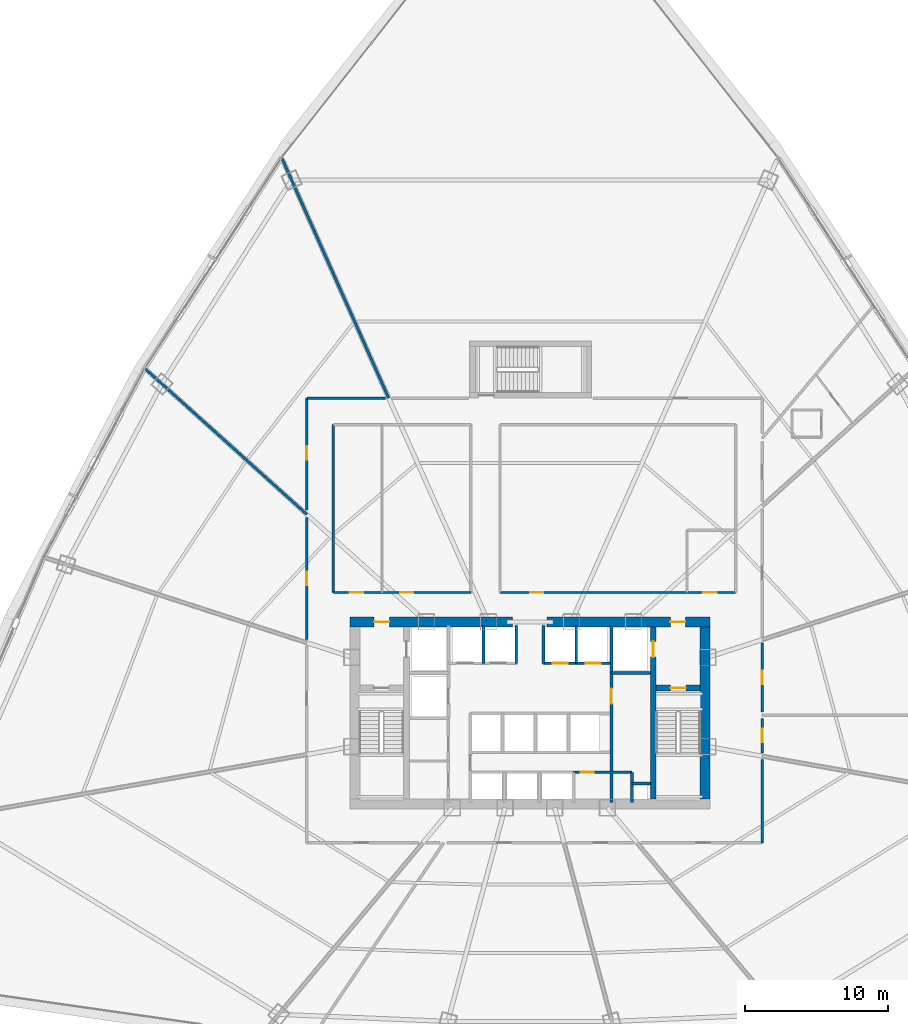
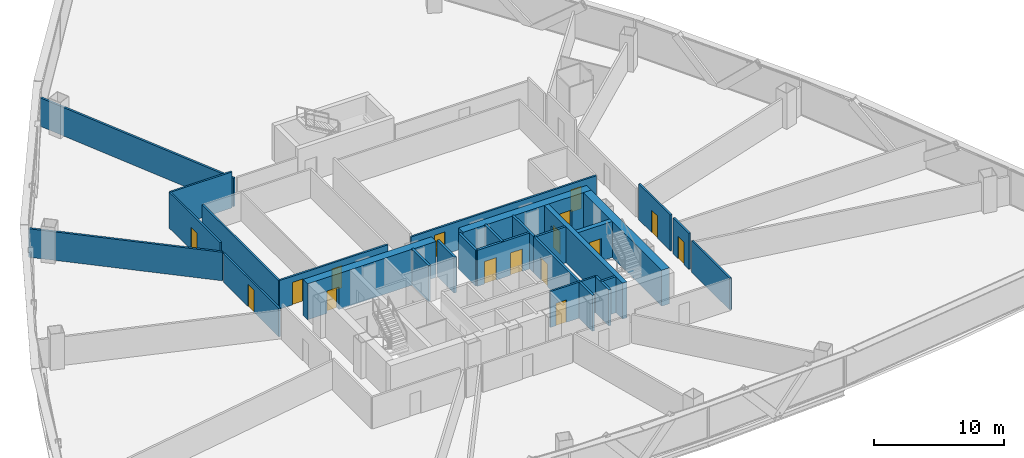
# One storey, part 36 of 42: 27 walls, 16 doors, 16 openings.
"""IFC4 building model written with IfcOpenShell, lengths in metres."""

from ifc_helpers import new_model, si_unit, direction, frame, frame_2d, origin, origin_with_axes, place, context, subcontext, project, spatial, rectangle, extrude, source, transform, mapped, material, layer, layer_set, type_object, element, fill, save


model = new_model("IFC4")

# Units and contexts
model_context = context("Model", 3, precision=1e-05, world=origin(), true_north=direction((0.0, 1.0)))
body_context = subcontext(model_context, "Body", "Model", "MODEL_VIEW")
ifc_project = project(units=[si_unit("LENGTHUNIT", "METRE"), si_unit("AREAUNIT", "SQUARE_METRE"), si_unit("VOLUMEUNIT", "CUBIC_METRE"), si_unit("PLANEANGLEUNIT", "RADIAN"), si_unit("MASSUNIT", "GRAM", prefix="KILO"), si_unit("THERMODYNAMICTEMPERATUREUNIT", "KELVIN"), si_unit("POWERUNIT", "WATT")], contexts=[model_context])

# Site, building, storey
site_placement = place(None, origin())
site = spatial("IfcSite", under=ifc_project, at=site_placement, CompositionType="ELEMENT")
building_placement = place(site_placement, origin())
building = spatial("IfcBuilding", under=site, at=building_placement, Name="Yunzhuo Pagoda Commons", CompositionType="ELEMENT")
storey_placement = place(building_placement, frame((0.0, 0.0, 41.2900390625)))
storey = spatial("IfcBuildingStorey", under=building, at=storey_placement, Name="L10", CompositionType="ELEMENT", Elevation=41.2900390625)

# Wall, opening, door
ifc_material_1 = material(Name="Concrete C60", Category="concrete")
ifc_layer_1 = layer(ifc_material_1, 0.699951171875)
ifc_layer_set_1 = layer_set([ifc_layer_1], Name="Concrete C60")
wall_type_1 = type_object("IfcWallType", Name="W-C01 Lower Core Shear Wall 700", PredefinedType="SHEAR", material=ifc_layer_set_1)
wall_1_placement = place(storey_placement, frame((35.449951171875, 40.199951171875, 0.0), z_axis=(0.0, 0.0, 1.0), x_axis=(1.0, 0.0, 0.0)))
wall_1 = element("IfcWall", 1, at=wall_1_placement, inside=storey, type_object=wall_type_1, Name="L10 core shear wall NW", PredefinedType="SHEAR", context=body_context, shape_type="SweptSolid", body=[
    extrude(rectangle(XDim=11.35009765625, YDim=0.699951171875, at=frame_2d((5.675048828125, 0.0))), origin(), (0.0, 0.0, 1.0), 3.369873046875),
])
opening_1_placement = place(wall_1_placement, frame((1.699951171875, 0.0, 0.0)))
opening_1 = element("IfcOpeningElement", 2, at=opening_1_placement, cuts=wall_1, Name="Opening D-02", PredefinedType="OPENING", context=body_context, shape_type="SweptSolid", body=[
    extrude(rectangle(XDim=1.050048828125, YDim=2.10009765625, at=frame_2d((0.52490234375, 1.050048828125))), frame((0.0, 0.35986328125, 0.0), z_axis=(0.0, -1.0, 0.0), x_axis=(1.0, 0.0, 0.0)), (0.0, 0.0, 1.0), 0.719970703125),
])
ifc_material_2 = material(Name="Galvanized fire-resisting metal leaf")
door_type_1 = type_object("IfcDoorType", Name="D-02 Firefighting Lobby & Refuge Fire Door 1050x2100", OperationType="NOTDEFINED", PredefinedType="DOOR", material=ifc_material_2)
shared_shape_1 = source(origin(), body_context, "Body", "SweptSolid", [
    extrude(rectangle(XDim=1.050048828125, YDim=2.10009765625, at=frame_2d((0.52490234375, 1.050048828125))), frame((0.0, 0.02490234375, 0.0), z_axis=(0.0, -1.0, 0.0), x_axis=(1.0, 0.0, 0.0)), (0.0, 0.0, 1.0), 0.050048828125),
])
door_1_placement = place(opening_1_placement, frame((1.050048828125, 0.0, 0.0), z_axis=(0.0, 0.0, 1.0), x_axis=(-1.0, 0.0, 0.0)))
door_1 = element("IfcDoor", 3, at=door_1_placement, inside=storey, type_object=door_type_1, Name="L10 Firefighting Lobby 1 fire door", OperationType="SINGLE_SWING_LEFT", OverallHeight=2.10009765625, OverallWidth=1.050048828125, PredefinedType="DOOR", context=body_context, shape_type="MappedRepresentation", body=[
    mapped(shared_shape_1, transform((0.0, 0.0, 0.0), scale=1.0)),
])
fill(opening_1, door_1)

wall_2_placement = place(storey_placement, frame((49.199951171875, 40.199951171875, 0.0), z_axis=(0.0, 0.0, 1.0), x_axis=(1.0, 0.0, 0.0)))
wall_2 = element("IfcWall", 4, at=wall_2_placement, inside=storey, type_object=wall_type_1, Name="L10 core shear wall NE", PredefinedType="SHEAR", context=body_context, shape_type="SweptSolid", body=[
    extrude(rectangle(XDim=11.35009765625, YDim=0.699951171875, at=frame_2d((5.675048828125, 0.0))), origin(), (0.0, 0.0, 1.0), 3.369873046875),
])
opening_2_placement = place(wall_2_placement, frame((8.60009765625, 0.0, 0.0)))
opening_2 = element("IfcOpeningElement", 5, at=opening_2_placement, cuts=wall_2, Name="Opening D-02", PredefinedType="OPENING", context=body_context, shape_type="SweptSolid", body=[
    extrude(rectangle(XDim=1.050048828125, YDim=2.10009765625, at=frame_2d((0.52490234375, 1.050048828125))), frame((0.0, 0.35986328125, 0.0), z_axis=(0.0, -1.0, 0.0), x_axis=(1.0, 0.0, 0.0)), (0.0, 0.0, 1.0), 0.719970703125),
])
door_2_placement = place(opening_2_placement, frame((1.050048828125, 0.0, 0.0), z_axis=(0.0, 0.0, 1.0), x_axis=(-1.0, 0.0, 0.0)))
door_2 = element("IfcDoor", 6, at=door_2_placement, inside=storey, type_object=door_type_1, Name="L10 Firefighting Lobby 2 fire door", OperationType="SINGLE_SWING_RIGHT", OverallHeight=2.10009765625, OverallWidth=1.050048828125, PredefinedType="DOOR", context=body_context, shape_type="MappedRepresentation", body=[
    mapped(shared_shape_1, transform((0.0, 0.0, 0.0), scale=1.0)),
])
fill(opening_2, door_2)

# Wall
wall_3_placement = place(storey_placement, frame((60.199951171875, 27.85009765625, 0.0), z_axis=(0.0, 0.0, 1.0), x_axis=(0.0, 1.0, 0.0)))
element("IfcWall", 7, at=wall_3_placement, inside=storey, type_object=wall_type_1, Name="L10 core shear wall E", PredefinedType="SHEAR", context=body_context, shape_type="SweptSolid", body=[
    extrude(rectangle(XDim=12.0, YDim=0.699951171875, at=frame_2d((6.0, 0.0))), origin(), (0.0, 0.0, 1.0), 3.369873046875),
])

# Wall, opening, door
ifc_material_3 = material(Name="Gypsum plasterboard on acoustic stud")
ifc_layer_2 = layer(ifc_material_3, 0.159912109375)
ifc_layer_set_2 = layer_set([ifc_layer_2], Name="Gypsum plasterboard on acoustic stud")
wall_type_2 = type_object("IfcWallType", Name="W-COR1 Tower Rated Corridor Wall 160", PredefinedType="PARTITIONING", material=ifc_layer_set_2)
wall_4_placement = place(storey_placement, frame((51.050048828125, 29.719970703125, 0.0), z_axis=(0.0, 0.0, 1.0), x_axis=(1.0, 0.0, 0.0)))
wall_4 = element("IfcWall", 8, at=wall_4_placement, inside=storey, type_object=wall_type_2, Name="L10 interior wall IW-L10-CSES", PredefinedType="PARTITIONING", context=body_context, shape_type="SweptSolid", body=[
    extrude(rectangle(XDim=4.070068359375, YDim=0.159912109375, at=frame_2d((2.03515625, 0.0))), origin(), (0.0, 0.0, 1.0), 3.369873046875),
])
opening_3_placement = place(wall_4_placement, frame((0.5, 0.0, 0.0)))
opening_3 = element("IfcOpeningElement", 9, at=opening_3_placement, cuts=wall_4, Name="Opening D-03", PredefinedType="OPENING", context=body_context, shape_type="SweptSolid", body=[
    extrude(rectangle(XDim=0.89990234375, YDim=2.10009765625, at=frame_2d((0.449951171875, 1.050048828125))), frame((0.0, 0.08984375, 0.0), z_axis=(0.0, -1.0, 0.0), x_axis=(1.0, 0.0, 0.0)), (0.0, 0.0, 1.0), 0.179931640625),
])
door_type_2 = type_object("IfcDoorType", Name="D-03 Core Service Fire Door 900x2100", OperationType="NOTDEFINED", PredefinedType="DOOR", material=ifc_material_2)
shared_shape_2 = source(origin(), body_context, "Body", "SweptSolid", [
    extrude(rectangle(XDim=0.89990234375, YDim=2.10009765625, at=frame_2d((0.449951171875, 1.050048828125))), frame((0.0, 0.02490234375, 0.0), z_axis=(0.0, -1.0, 0.0), x_axis=(1.0, 0.0, 0.0)), (0.0, 0.0, 1.0), 0.050048828125),
])
door_3_placement = place(opening_3_placement, origin_with_axes())
door_3 = element("IfcDoor", 10, at=door_3_placement, inside=storey, type_object=door_type_2, Name="L10 IT closet door", OperationType="SINGLE_SWING_LEFT", OverallHeight=2.10009765625, OverallWidth=0.89990234375, PredefinedType="DOOR", context=body_context, shape_type="MappedRepresentation", body=[
    mapped(shared_shape_2, transform((0.0, 0.0, 0.0), scale=1.0)),
])
fill(opening_3, door_3)

# Wall, openings, doors
wall_5_placement = place(storey_placement, frame((34.300048828125, 42.25, 0.0), z_axis=(0.0, 0.0, 1.0), x_axis=(1.0, 0.0, 0.0)))
wall_5 = element("IfcWall", 11, at=wall_5_placement, inside=storey, type_object=wall_type_2, Name="L10 interior wall IW-L10-ISLWS", PredefinedType="PARTITIONING", context=body_context, shape_type="SweptSolid", body=[
    extrude(rectangle(XDim=9.579833984375, YDim=0.159912109375, at=frame_2d((4.7900390625, 0.0))), origin(), (0.0, 0.0, 1.0), 2.669921875),
])
opening_4_placement = place(wall_5_placement, frame((1.14990234375, 0.0, 0.0)))
opening_4 = element("IfcOpeningElement", 12, at=opening_4_placement, cuts=wall_5, Name="Opening D-04", PredefinedType="OPENING", context=body_context, shape_type="SweptSolid", body=[
    extrude(rectangle(XDim=0.919921875, YDim=2.10009765625, at=frame_2d((0.4599609375, 1.050048828125))), frame((0.0, 0.08984375, 0.0), z_axis=(0.0, -1.0, 0.0), x_axis=(1.0, 0.0, 0.0)), (0.0, 0.0, 1.0), 0.179931640625),
])
opening_5_placement = place(wall_5_placement, frame((4.64990234375, 0.0, 0.0)))
opening_5 = element("IfcOpeningElement", 13, at=opening_5_placement, cuts=wall_5, Name="Opening D-04", PredefinedType="OPENING", context=body_context, shape_type="SweptSolid", body=[
    extrude(rectangle(XDim=0.919921875, YDim=2.10009765625, at=frame_2d((0.4599609375, 1.050048828125))), frame((0.0, 0.08984375, 0.0), z_axis=(0.0, -1.0, 0.0), x_axis=(1.0, 0.0, 0.0)), (0.0, 0.0, 1.0), 0.179931640625),
])
ifc_material_4 = material(Name="Powder-coated aluminium and timber acoustic leaf", Category="wood")
door_type_3 = type_object("IfcDoorType", Name="D-04 Bedroom & Study Interior Door 920x2100", OperationType="NOTDEFINED", PredefinedType="DOOR", material=ifc_material_4)
shared_shape_3 = source(origin(), body_context, "Body", "SweptSolid", [
    extrude(rectangle(XDim=0.919921875, YDim=2.10009765625, at=frame_2d((0.4599609375, 1.050048828125))), frame((0.0, 0.02490234375, 0.0), z_axis=(0.0, -1.0, 0.0), x_axis=(1.0, 0.0, 0.0)), (0.0, 0.0, 1.0), 0.050048828125),
])
door_4_placement = place(opening_4_placement, frame((0.919921875, 0.0, 0.0), z_axis=(0.0, 0.0, 1.0), x_axis=(-1.0, 0.0, 0.0)))
door_4 = element("IfcDoor", 14, at=door_4_placement, inside=storey, type_object=door_type_3, Name="L10 laundry door", OperationType="SINGLE_SWING_LEFT", OverallHeight=2.10009765625, OverallWidth=0.919921875, PredefinedType="DOOR", context=body_context, shape_type="MappedRepresentation", body=[
    mapped(shared_shape_3, transform((0.0, 0.0, 0.0), scale=1.0)),
])
fill(opening_4, door_4)
door_5_placement = place(opening_5_placement, frame((0.919921875, 0.0, 0.0), z_axis=(0.0, 0.0, 1.0), x_axis=(-1.0, 0.0, 0.0)))
door_5 = element("IfcDoor", 15, at=door_5_placement, inside=storey, type_object=door_type_3, Name="L10 study commons W door", OperationType="SINGLE_SWING_RIGHT", OverallHeight=2.10009765625, OverallWidth=0.919921875, PredefinedType="DOOR", context=body_context, shape_type="MappedRepresentation", body=[
    mapped(shared_shape_3, transform((0.0, 0.0, 0.0), scale=1.0)),
])
fill(opening_5, door_5)

# Wall
wall_6_placement = place(storey_placement, frame((34.300048828125, 42.25, 0.0), z_axis=(0.0, 0.0, 1.0), x_axis=(0.0, 1.0, 0.0)))
element("IfcWall", 16, at=wall_6_placement, inside=storey, type_object=wall_type_2, Name="L10 interior wall IW-L10-ISLWW", PredefinedType="PARTITIONING", context=body_context, shape_type="SweptSolid", body=[
    extrude(rectangle(XDim=11.699951171875, YDim=0.159912109375, at=frame_2d((5.85009765625, 0.0))), origin(), (0.0, 0.0, 1.0), 2.669921875),
])

# Wall, openings, doors
wall_7_placement = place(storey_placement, frame((45.919921875, 42.25, 0.0), z_axis=(0.0, 0.0, 1.0), x_axis=(1.0, 0.0, 0.0)))
wall_7 = element("IfcWall", 17, at=wall_7_placement, inside=storey, type_object=wall_type_2, Name="L10 interior wall IW-L10-ISLES", PredefinedType="PARTITIONING", context=body_context, shape_type="SweptSolid", body=[
    extrude(rectangle(XDim=16.43017578125, YDim=0.159912109375, at=frame_2d((8.215087890625, 0.0))), origin(), (0.0, 0.0, 1.0), 2.669921875),
])
opening_6_placement = place(wall_7_placement, frame((2.10009765625, 0.0, 0.0)))
opening_6 = element("IfcOpeningElement", 18, at=opening_6_placement, cuts=wall_7, Name="Opening D-04", PredefinedType="OPENING", context=body_context, shape_type="SweptSolid", body=[
    extrude(rectangle(XDim=0.919921875, YDim=2.10009765625, at=frame_2d((0.4599609375, 1.050048828125))), frame((0.0, 0.08984375, 0.0), z_axis=(0.0, -1.0, 0.0), x_axis=(1.0, 0.0, 0.0)), (0.0, 0.0, 1.0), 0.179931640625),
])
opening_7_placement = place(wall_7_placement, frame((14.179931640625, 0.0, 0.0)))
opening_7 = element("IfcOpeningElement", 19, at=opening_7_placement, cuts=wall_7, Name="Opening D-11", PredefinedType="OPENING", context=body_context, shape_type="SweptSolid", body=[
    extrude(rectangle(XDim=0.93994140625, YDim=2.10009765625, at=frame_2d((0.469970703125, 1.050048828125))), frame((0.0, 0.08984375, 0.0), z_axis=(0.0, -1.0, 0.0), x_axis=(1.0, 0.0, 0.0)), (0.0, 0.0, 1.0), 0.179931640625),
])
door_type_4 = type_object("IfcDoorType", Name="D-11 Accessible Washroom Fire Door 940x2100", OperationType="NOTDEFINED", PredefinedType="DOOR", material=ifc_material_2)
shared_shape_4 = source(origin(), body_context, "Body", "SweptSolid", [
    extrude(rectangle(XDim=0.93994140625, YDim=2.10009765625, at=frame_2d((0.469970703125, 1.050048828125))), frame((0.0, 0.02490234375, 0.0), z_axis=(0.0, -1.0, 0.0), x_axis=(1.0, 0.0, 0.0)), (0.0, 0.0, 1.0), 0.050048828125),
])
door_6_placement = place(opening_7_placement, frame((0.93994140625, 0.0, 0.0), z_axis=(0.0, 0.0, 1.0), x_axis=(-1.0, 0.0, 0.0)))
door_6 = element("IfcDoor", 20, at=door_6_placement, inside=storey, type_object=door_type_4, Name="L10 accessible WC door", OperationType="SINGLE_SWING_RIGHT", OverallHeight=2.10009765625, OverallWidth=0.93994140625, PredefinedType="DOOR", context=body_context, shape_type="MappedRepresentation", body=[
    mapped(shared_shape_4, transform((0.0, 0.0, 0.0), scale=1.0)),
])
fill(opening_7, door_6)
door_7_placement = place(opening_6_placement, frame((0.919921875, 0.0, 0.0), z_axis=(0.0, 0.0, 1.0), x_axis=(-1.0, 0.0, 0.0)))
door_7 = element("IfcDoor", 21, at=door_7_placement, inside=storey, type_object=door_type_3, Name="L10 reading commons door", OperationType="SINGLE_SWING_LEFT", OverallHeight=2.10009765625, OverallWidth=0.919921875, PredefinedType="DOOR", context=body_context, shape_type="MappedRepresentation", body=[
    mapped(shared_shape_3, transform((0.0, 0.0, 0.0), scale=1.0)),
])
fill(opening_6, door_7)

# Wall, opening, door
wall_8_placement = place(storey_placement, frame((32.449951171875, 38.98388671875, 0.0), z_axis=(0.0, 0.0, 1.0), x_axis=(0.0, 1.0, 0.0)))
wall_8 = element("IfcWall", 22, at=wall_8_placement, inside=storey, type_object=wall_type_2, Name="L10 interior wall IW-L10-CWL03", PredefinedType="PARTITIONING", context=body_context, shape_type="SweptSolid", body=[
    extrude(rectangle(XDim=8.497802734375, YDim=0.159912109375, at=frame_2d((4.2490234375, 0.0))), origin(), (0.0, 0.0, 1.0), 2.669921875),
])
opening_8_placement = place(wall_8_placement, frame((3.76806640625, 0.0, 0.0)))
opening_8 = element("IfcOpeningElement", 23, at=opening_8_placement, cuts=wall_8, Name="Opening D-06", PredefinedType="OPENING", context=body_context, shape_type="SweptSolid", body=[
    extrude(rectangle(XDim=0.949951171875, YDim=2.10009765625, at=frame_2d((0.47509765625, 1.050048828125))), frame((0.0, 0.08984375, 0.0), z_axis=(0.0, -1.0, 0.0), x_axis=(1.0, 0.0, 0.0)), (0.0, 0.0, 1.0), 0.179931640625),
])
door_type_5 = type_object("IfcDoorType", Name="D-06 Co-Living Suite Entrance Fire Door 950x2100", OperationType="NOTDEFINED", PredefinedType="DOOR", material=ifc_material_2)
shared_shape_5 = source(origin(), body_context, "Body", "SweptSolid", [
    extrude(rectangle(XDim=0.949951171875, YDim=2.10009765625, at=frame_2d((0.47509765625, 1.050048828125))), frame((0.0, 0.02490234375, 0.0), z_axis=(0.0, -1.0, 0.0), x_axis=(1.0, 0.0, 0.0)), (0.0, 0.0, 1.0), 0.050048828125),
])
door_8_placement = place(opening_8_placement, origin_with_axes())
door_8 = element("IfcDoor", 24, at=door_8_placement, inside=storey, type_object=door_type_5, Name="L10 unit 06 entrance door", OperationType="SINGLE_SWING_LEFT", OverallHeight=2.10009765625, OverallWidth=0.949951171875, PredefinedType="DOOR", context=body_context, shape_type="MappedRepresentation", body=[
    mapped(shared_shape_5, transform((0.0, 0.0, 0.0), scale=1.0)),
])
fill(opening_8, door_8)

wall_9_placement = place(storey_placement, frame((32.449951171875, 47.997314453125, 0.0), z_axis=(0.0, 0.0, 1.0), x_axis=(0.0, 1.0, 0.0)))
wall_9 = element("IfcWall", 25, at=wall_9_placement, inside=storey, type_object=wall_type_2, Name="L10 interior wall IW-L10-CWL04", PredefinedType="PARTITIONING", context=body_context, shape_type="SweptSolid", body=[
    extrude(rectangle(XDim=7.802734375, YDim=0.159912109375, at=frame_2d((3.9013671875, 0.0))), origin(), (0.0, 0.0, 1.0), 3.369873046875),
])
opening_9_placement = place(wall_9_placement, frame((3.50830078125, 0.0, 0.0)))
opening_9 = element("IfcOpeningElement", 26, at=opening_9_placement, cuts=wall_9, Name="Opening D-06", PredefinedType="OPENING", context=body_context, shape_type="SweptSolid", body=[
    extrude(rectangle(XDim=0.949951171875, YDim=2.10009765625, at=frame_2d((0.47509765625, 1.050048828125))), frame((0.0, 0.08984375, 0.0), z_axis=(0.0, -1.0, 0.0), x_axis=(1.0, 0.0, 0.0)), (0.0, 0.0, 1.0), 0.179931640625),
])
door_9_placement = place(opening_9_placement, origin_with_axes())
door_9 = element("IfcDoor", 27, at=door_9_placement, inside=storey, type_object=door_type_5, Name="L10 unit 05 entrance door", OperationType="SINGLE_SWING_RIGHT", OverallHeight=2.10009765625, OverallWidth=0.949951171875, PredefinedType="DOOR", context=body_context, shape_type="MappedRepresentation", body=[
    mapped(shared_shape_5, transform((0.0, 0.0, 0.0), scale=1.0)),
])
fill(opening_9, door_9)

# Wall
wall_10_placement = place(storey_placement, frame((32.449951171875, 55.800048828125, 0.0), z_axis=(0.0, 0.0, 1.0), x_axis=(1.0, 0.0, 0.0)))
element("IfcWall", 28, at=wall_10_placement, inside=storey, type_object=wall_type_2, Name="L10 interior wall IW-L10-CWL05", PredefinedType="PARTITIONING", context=body_context, shape_type="SweptSolid", body=[
    extrude(rectangle(XDim=5.4697265625, YDim=0.159912109375, at=frame_2d((2.73486328125, 0.0))), origin(), (0.0, 0.0, 1.0), 3.369873046875),
])

# Wall, opening, door
wall_11_placement = place(storey_placement, frame((64.199951171875, 38.743896484375, 0.0), z_axis=(0.0, 0.0, 1.0), x_axis=(0.0, -1.0, 0.0)))
wall_11 = element("IfcWall", 29, at=wall_11_placement, inside=storey, type_object=wall_type_2, Name="L10 interior wall IW-L10-CWL11", PredefinedType="PARTITIONING", context=body_context, shape_type="SweptSolid", body=[
    extrude(rectangle(XDim=4.823974609375, YDim=0.159912109375, at=frame_2d((2.412109375, 0.0))), origin(), (0.0, 0.0, 1.0), 3.369873046875),
])
opening_10_placement = place(wall_11_placement, frame((1.951904296875, 0.0, 0.0)))
opening_10 = element("IfcOpeningElement", 30, at=opening_10_placement, cuts=wall_11, Name="Opening D-04", PredefinedType="OPENING", context=body_context, shape_type="SweptSolid", body=[
    extrude(rectangle(XDim=0.919921875, YDim=2.10009765625, at=frame_2d((0.4599609375, 1.050048828125))), frame((0.0, 0.08984375, 0.0), z_axis=(0.0, -1.0, 0.0), x_axis=(1.0, 0.0, 0.0)), (0.0, 0.0, 1.0), 0.179931640625),
])
door_10_placement = place(opening_10_placement, origin_with_axes())
door_10 = element("IfcDoor", 31, at=door_10_placement, inside=storey, type_object=door_type_3, Name="L10 seminar room 01 door", OperationType="SINGLE_SWING_RIGHT", OverallHeight=2.10009765625, OverallWidth=0.919921875, PredefinedType="DOOR", context=body_context, shape_type="MappedRepresentation", body=[
    mapped(shared_shape_3, transform((0.0, 0.0, 0.0), scale=1.0)),
])
fill(opening_10, door_10)

wall_12_placement = place(storey_placement, frame((64.199951171875, 33.47998046875, 0.0), z_axis=(0.0, 0.0, 1.0), x_axis=(0.0, -1.0, 0.0)))
wall_12 = element("IfcWall", 32, at=wall_12_placement, inside=storey, type_object=wall_type_2, Name="L10 interior wall IW-L10-CWL12", PredefinedType="PARTITIONING", context=body_context, shape_type="SweptSolid", body=[
    extrude(rectangle(XDim=2.416748046875, YDim=0.159912109375, at=frame_2d((1.20849609375, 0.0))), origin(), (0.0, 0.0, 1.0), 3.369873046875),
])
opening_11_placement = place(wall_12_placement, frame((0.733154296875, 0.0, 0.0)))
opening_11 = element("IfcOpeningElement", 33, at=opening_11_placement, cuts=wall_12, Name="Opening D-06", PredefinedType="OPENING", context=body_context, shape_type="SweptSolid", body=[
    extrude(rectangle(XDim=0.949951171875, YDim=2.10009765625, at=frame_2d((0.47509765625, 1.050048828125))), frame((0.0, 0.08984375, 0.0), z_axis=(0.0, -1.0, 0.0), x_axis=(1.0, 0.0, 0.0)), (0.0, 0.0, 1.0), 0.179931640625),
])
door_11_placement = place(opening_11_placement, origin_with_axes())
door_11 = element("IfcDoor", 34, at=door_11_placement, inside=storey, type_object=door_type_5, Name="L10 unit 13 entrance door", OperationType="SINGLE_SWING_RIGHT", OverallHeight=2.10009765625, OverallWidth=0.949951171875, PredefinedType="DOOR", context=body_context, shape_type="MappedRepresentation", body=[
    mapped(shared_shape_5, transform((0.0, 0.0, 0.0), scale=1.0)),
])
fill(opening_11, door_11)

# Walls
wall_13_placement = place(storey_placement, frame((64.199951171875, 30.6201171875, 0.0), z_axis=(0.0, 0.0, 1.0), x_axis=(0.0, -1.0, 0.0)))
element("IfcWall", 35, at=wall_13_placement, inside=storey, type_object=wall_type_2, Name="L10 interior wall IW-L10-CWL13", PredefinedType="PARTITIONING", context=body_context, shape_type="SweptSolid", body=[
    extrude(rectangle(XDim=5.820068359375, YDim=0.159912109375, at=frame_2d((2.91015625, 0.0))), origin(), (0.0, 0.0, 1.0), 2.969970703125),
])
ifc_layer_3 = layer(ifc_material_3, 0.179931640625)
ifc_layer_set_3 = layer_set([ifc_layer_3], Name="Gypsum plasterboard on acoustic stud")
wall_type_3 = type_object("IfcWallType", Name="W-PRT2 Acoustic Unit Demising Wall 180", PredefinedType="PARTITIONING", material=ifc_layer_set_3)
wall_14_placement = place(storey_placement, frame((38.160400390625, 55.800048828125, 0.0), z_axis=(0.0, 0.0, 1.0), x_axis=(-0.406730734994, 0.913548088067, 0.0)))
element("IfcWall", 36, at=wall_14_placement, inside=storey, type_object=wall_type_3, Name="L10 interior wall IW-L10-RAD05", PredefinedType="PARTITIONING", context=body_context, shape_type="SweptSolid", body=[
    extrude(rectangle(XDim=18.355712890625, YDim=0.179931640625, at=frame_2d((9.177734375, 0.0))), origin(), (0.0, 0.0, 1.0), 2.669921875),
])
wall_15_placement = place(storey_placement, frame((32.449951171875, 47.701416015625, 0.0), z_axis=(0.0, 0.0, 1.0), x_axis=(-0.743155181141, 0.66911910505, 0.0)))
element("IfcWall", 37, at=wall_15_placement, inside=storey, type_object=wall_type_3, Name="L10 interior wall IW-L10-RAD06", PredefinedType="PARTITIONING", context=body_context, shape_type="SweptSolid", body=[
    extrude(rectangle(XDim=15.201904296875, YDim=0.179931640625, at=frame_2d((7.60107421875, 0.0))), origin(), (0.0, 0.0, 1.0), 2.669921875),
])

# Wall, opening, door
ifc_layer_4 = layer(ifc_material_1, 0.39990234375)
ifc_layer_set_4 = layer_set([ifc_layer_4], Name="Concrete C60")
wall_type_4 = type_object("IfcWallType", Name="W-S01 Internal Core Shear Web 400", PredefinedType="SHEAR", material=ifc_layer_set_4)
wall_16_placement = place(storey_placement, frame((56.60009765625, 27.85009765625, 0.0), z_axis=(0.0, 0.0, 1.0), x_axis=(0.0, 1.0, 0.0)))
wall_16 = element("IfcWall", 38, at=wall_16_placement, inside=storey, type_object=wall_type_4, Name="L10 core shear wall WEBE", PredefinedType="SHEAR", context=body_context, shape_type="SweptSolid", body=[
    extrude(rectangle(XDim=12.0, YDim=0.39990234375, at=frame_2d((6.0, 0.0))), origin(), (0.0, 0.0, 1.0), 3.369873046875),
])
opening_12_placement = place(wall_16_placement, frame((9.89990234375, 0.0, 0.0)))
opening_12 = element("IfcOpeningElement", 39, at=opening_12_placement, cuts=wall_16, Name="Opening LD-01", PredefinedType="OPENING", context=body_context, shape_type="SweptSolid", body=[
    extrude(rectangle(XDim=1.10009765625, YDim=2.10009765625, at=frame_2d((0.550048828125, 1.050048828125))), frame((0.0, 0.2099609375, 0.0), z_axis=(0.0, -1.0, 0.0), x_axis=(1.0, 0.0, 0.0)), (0.0, 0.0, 1.0), 0.419921875),
])
door_type_6 = type_object("IfcDoorType", Name="LD-01 Firefighting Lift Landing Door 1100x2100", OperationType="DOUBLE_DOOR_SLIDING", PredefinedType="DOOR", material=ifc_material_2)
shared_shape_6 = source(origin(), body_context, "Body", "SweptSolid", [
    extrude(rectangle(XDim=1.10009765625, YDim=2.10009765625, at=frame_2d((0.550048828125, 1.050048828125))), frame((0.0, 0.02490234375, 0.0), z_axis=(0.0, -1.0, 0.0), x_axis=(1.0, 0.0, 0.0)), (0.0, 0.0, 1.0), 0.050048828125),
])
door_12_placement = place(opening_12_placement, origin_with_axes())
door_12 = element("IfcDoor", 40, at=door_12_placement, inside=storey, type_object=door_type_6, Name="L10 Firefighting lift FL-2 landing door", OperationType="DOUBLE_DOOR_SLIDING", OverallHeight=2.10009765625, OverallWidth=1.10009765625, PredefinedType="DOOR", context=body_context, shape_type="MappedRepresentation", body=[
    mapped(shared_shape_6, transform((0.0, 0.0, 0.0), scale=1.0)),
])
fill(opening_12, door_12)

wall_17_placement = place(storey_placement, frame((56.800048828125, 35.60009765625, 0.0), z_axis=(0.0, 0.0, 1.0), x_axis=(1.0, 0.0, 0.0)))
wall_17 = element("IfcWall", 41, at=wall_17_placement, inside=storey, type_object=wall_type_4, Name="L10 core shear wall STE", PredefinedType="SHEAR", context=body_context, shape_type="SweptSolid", body=[
    extrude(rectangle(XDim=3.050048828125, YDim=0.39990234375, at=frame_2d((1.52490234375, 0.0))), origin(), (0.0, 0.0, 1.0), 3.369873046875),
])
opening_13_placement = place(wall_17_placement, frame((1.02001953125, 0.0, 0.0)))
opening_13 = element("IfcOpeningElement", 42, at=opening_13_placement, cuts=wall_17, Name="Opening D-01", PredefinedType="OPENING", context=body_context, shape_type="SweptSolid", body=[
    extrude(rectangle(XDim=1.050048828125, YDim=2.10009765625, at=frame_2d((0.52490234375, 1.050048828125))), frame((0.0, 0.2099609375, 0.0), z_axis=(0.0, -1.0, 0.0), x_axis=(1.0, 0.0, 0.0)), (0.0, 0.0, 1.0), 0.419921875),
])
door_type_7 = type_object("IfcDoorType", Name="D-01 Smokeproof Stair Fire Door 1050x2100", OperationType="NOTDEFINED", PredefinedType="DOOR", material=ifc_material_2)
door_13_placement = place(opening_13_placement, frame((1.050048828125, 0.0, 0.0), z_axis=(0.0, 0.0, 1.0), x_axis=(-1.0, 0.0, 0.0)))
door_13 = element("IfcDoor", 43, at=door_13_placement, inside=storey, type_object=door_type_7, Name="L10 Stair ST2 fire door", OperationType="SINGLE_SWING_RIGHT", OverallHeight=2.10009765625, OverallWidth=1.050048828125, PredefinedType="DOOR", context=body_context, shape_type="MappedRepresentation", body=[
    mapped(shared_shape_1, transform((0.0, 0.0, 0.0), scale=1.0)),
])
fill(opening_13, door_13)

# Walls
ifc_material_5 = material(Name="Concrete C40", Category="concrete")
ifc_layer_5 = layer(ifc_material_5, 0.199951171875)
ifc_layer_set_5 = layer_set([ifc_layer_5], Name="Concrete C40")
wall_type_5 = type_object("IfcWallType", Name="W-SHF Shaft & Stair Enclosure Wall 200", PredefinedType="SOLIDWALL", material=ifc_layer_set_5)
wall_18_placement = place(storey_placement, frame((53.679931640625, 36.64990234375, 0.0), z_axis=(0.0, 0.0, 1.0), x_axis=(0.0, 1.0, 0.0)))
element("IfcWall", 44, at=wall_18_placement, inside=storey, type_object=wall_type_5, Name="L10 interior wall IW-L10-FL2W", PredefinedType="SOLIDWALL", context=body_context, shape_type="SweptSolid", body=[
    extrude(rectangle(XDim=3.300048828125, YDim=0.199951171875, at=frame_2d((1.64990234375, 0.0))), origin(), (0.0, 0.0, 1.0), 3.369873046875),
])
wall_19_placement = place(storey_placement, frame((53.679931640625, 36.64990234375, 0.0), z_axis=(0.0, 0.0, 1.0), x_axis=(1.0, 0.0, 0.0)))
element("IfcWall", 45, at=wall_19_placement, inside=storey, type_object=wall_type_5, Name="L10 interior wall IW-L10-FL2S", PredefinedType="SOLIDWALL", context=body_context, shape_type="SweptSolid", body=[
    extrude(rectangle(XDim=2.719970703125, YDim=0.199951171875, at=frame_2d((1.35986328125, 0.0))), origin(), (0.0, 0.0, 1.0), 3.369873046875),
])

# Wall, openings, doors
wall_20_placement = place(storey_placement, frame((48.949951171875, 37.320068359375, 0.0), z_axis=(0.0, 0.0, 1.0), x_axis=(1.0, 0.0, 0.0)))
wall_20 = element("IfcWall", 46, at=wall_20_placement, inside=storey, type_object=wall_type_5, Name="L10 interior wall IW-L10-LBNE", PredefinedType="SOLIDWALL", context=body_context, shape_type="SweptSolid", body=[
    extrude(rectangle(XDim=4.72998046875, YDim=0.199951171875, at=frame_2d((2.364990234375, 0.0))), origin(), (0.0, 0.0, 1.0), 3.369873046875),
])
opening_14_placement = place(wall_20_placement, frame((0.64990234375, 0.0, 0.0)))
opening_14 = element("IfcOpeningElement", 47, at=opening_14_placement, cuts=wall_20, Name="Opening LD-02", PredefinedType="OPENING", context=body_context, shape_type="SweptSolid", body=[
    extrude(rectangle(XDim=1.050048828125, YDim=2.10009765625, at=frame_2d((0.52490234375, 1.050048828125))), frame((0.0, 0.10986328125, 0.0), z_axis=(0.0, -1.0, 0.0), x_axis=(1.0, 0.0, 0.0)), (0.0, 0.0, 1.0), 0.219970703125),
])
opening_15_placement = place(wall_20_placement, frame((2.949951171875, 0.0, 0.0)))
opening_15 = element("IfcOpeningElement", 48, at=opening_15_placement, cuts=wall_20, Name="Opening LD-02", PredefinedType="OPENING", context=body_context, shape_type="SweptSolid", body=[
    extrude(rectangle(XDim=1.050048828125, YDim=2.10009765625, at=frame_2d((0.52490234375, 1.050048828125))), frame((0.0, 0.10986328125, 0.0), z_axis=(0.0, -1.0, 0.0), x_axis=(1.0, 0.0, 0.0)), (0.0, 0.0, 1.0), 0.219970703125),
])
door_type_8 = type_object("IfcDoorType", Name="LD-02 Passenger Lift Landing Door 1050x2100", OperationType="DOUBLE_DOOR_SLIDING", PredefinedType="DOOR", material=ifc_material_2)
door_14_placement = place(opening_14_placement, frame((1.050048828125, 0.0, 0.0), z_axis=(0.0, 0.0, 1.0), x_axis=(-1.0, 0.0, 0.0)))
door_14 = element("IfcDoor", 49, at=door_14_placement, inside=storey, type_object=door_type_8, Name="L10 Passenger lift PL-L3 landing door", OperationType="DOUBLE_DOOR_SLIDING", OverallHeight=2.10009765625, OverallWidth=1.050048828125, PredefinedType="DOOR", context=body_context, shape_type="MappedRepresentation", body=[
    mapped(shared_shape_1, transform((0.0, 0.0, 0.0), scale=1.0)),
])
fill(opening_14, door_14)
door_15_placement = place(opening_15_placement, frame((1.050048828125, 0.0, 0.0), z_axis=(0.0, 0.0, 1.0), x_axis=(-1.0, 0.0, 0.0)))
door_15 = element("IfcDoor", 50, at=door_15_placement, inside=storey, type_object=door_type_8, Name="L10 Passenger lift PL-L4 landing door", OperationType="DOUBLE_DOOR_SLIDING", OverallHeight=2.10009765625, OverallWidth=1.050048828125, PredefinedType="DOOR", context=body_context, shape_type="MappedRepresentation", body=[
    mapped(shared_shape_1, transform((0.0, 0.0, 0.0), scale=1.0)),
])
fill(opening_15, door_15)

# Walls
for number, where, z_axis, x_axis, name in (
    (51, (47.050048828125, 37.320068359375, 0.0), (0.0, 0.0, 1.0), (0.0, 1.0, 0.0), "L10 interior wall IW-L10-THRW"),
    (52, (48.949951171875, 37.320068359375, 0.0), (0.0, 0.0, 1.0), (0.0, 1.0, 0.0), "L10 interior wall IW-L10-THRE"),
    (53, (44.77001953125, 37.320068359375, 0.0), (0.0, 0.0, 1.0), (0.0, 1.0, 0.0), "L10 interior wall IW-L10-PLL12"),
    (54, (51.22998046875, 37.320068359375, 0.0), (0.0, 0.0, 1.0), (0.0, 1.0, 0.0), "L10 interior wall IW-L10-PLL34"),
):
    element("IfcWall", number, at=place(storey_placement, frame(where, z_axis=z_axis, x_axis=x_axis)), inside=storey, type_object=wall_type_5, Name=name, PredefinedType="SOLIDWALL", context=body_context, shape_type="SweptSolid", body=[
        extrude(rectangle(XDim=2.6298828125, YDim=0.199951171875, at=frame_2d((1.31494140625, 0.0))), origin(), (0.0, 0.0, 1.0), 3.369873046875),
    ])

# Wall, opening, door
wall_21_placement = place(storey_placement, frame((53.679931640625, 27.60009765625, 0.0), z_axis=(0.0, 0.0, 1.0), x_axis=(0.0, 1.0, 0.0)))
wall_21 = element("IfcWall", 55, at=wall_21_placement, inside=storey, type_object=wall_type_5, Name="L10 interior wall IW-L10-PLME", PredefinedType="SOLIDWALL", context=body_context, shape_type="SweptSolid", body=[
    extrude(rectangle(XDim=9.0498046875, YDim=0.199951171875, at=frame_2d((4.52490234375, 0.0))), origin(), (0.0, 0.0, 1.0), 3.369873046875),
])
opening_16_placement = place(wall_21_placement, frame((6.89990234375, 0.0, 0.0)))
opening_16 = element("IfcOpeningElement", 56, at=opening_16_placement, cuts=wall_21, Name="Opening D-02", PredefinedType="OPENING", context=body_context, shape_type="SweptSolid", body=[
    extrude(rectangle(XDim=1.050048828125, YDim=2.10009765625, at=frame_2d((0.52490234375, 1.050048828125))), frame((0.0, 0.10986328125, 0.0), z_axis=(0.0, -1.0, 0.0), x_axis=(1.0, 0.0, 0.0)), (0.0, 0.0, 1.0), 0.219970703125),
])
door_16_placement = place(opening_16_placement, origin_with_axes())
door_16 = element("IfcDoor", 57, at=door_16_placement, inside=storey, type_object=door_type_1, Name="L10 High-bank lift hall door", OperationType="SINGLE_SWING_RIGHT", OverallHeight=2.10009765625, OverallWidth=1.050048828125, PredefinedType="DOOR", context=body_context, shape_type="MappedRepresentation", body=[
    mapped(shared_shape_1, transform((0.0, 0.0, 0.0), scale=1.0)),
])
fill(opening_16, door_16)

# Walls
wall_22_placement = place(storey_placement, frame((55.1201171875, 27.60009765625, 0.0), z_axis=(0.0, 0.0, 1.0), x_axis=(0.0, 1.0, 0.0)))
element("IfcWall", 58, at=wall_22_placement, inside=storey, type_object=wall_type_5, Name="L10 interior wall IW-L10-RSHFW", PredefinedType="SOLIDWALL", context=body_context, shape_type="SweptSolid", body=[
    extrude(rectangle(XDim=2.119873046875, YDim=0.199951171875, at=frame_2d((1.06005859375, 0.0))), origin(), (0.0, 0.0, 1.0), 3.369873046875),
])
wall_23_placement = place(storey_placement, frame((55.1201171875, 28.949951171875, 0.0), z_axis=(0.0, 0.0, 1.0), x_axis=(1.0, 0.0, 0.0)))
element("IfcWall", 59, at=wall_23_placement, inside=storey, type_object=wall_type_5, Name="L10 interior wall IW-L10-RSHFN", PredefinedType="SOLIDWALL", context=body_context, shape_type="SweptSolid", body=[
    extrude(rectangle(XDim=1.27978515625, YDim=0.199951171875, at=frame_2d((0.639892578125, 0.0))), origin(), (0.0, 0.0, 1.0), 3.369873046875),
])

save(model, "model.ifc")
